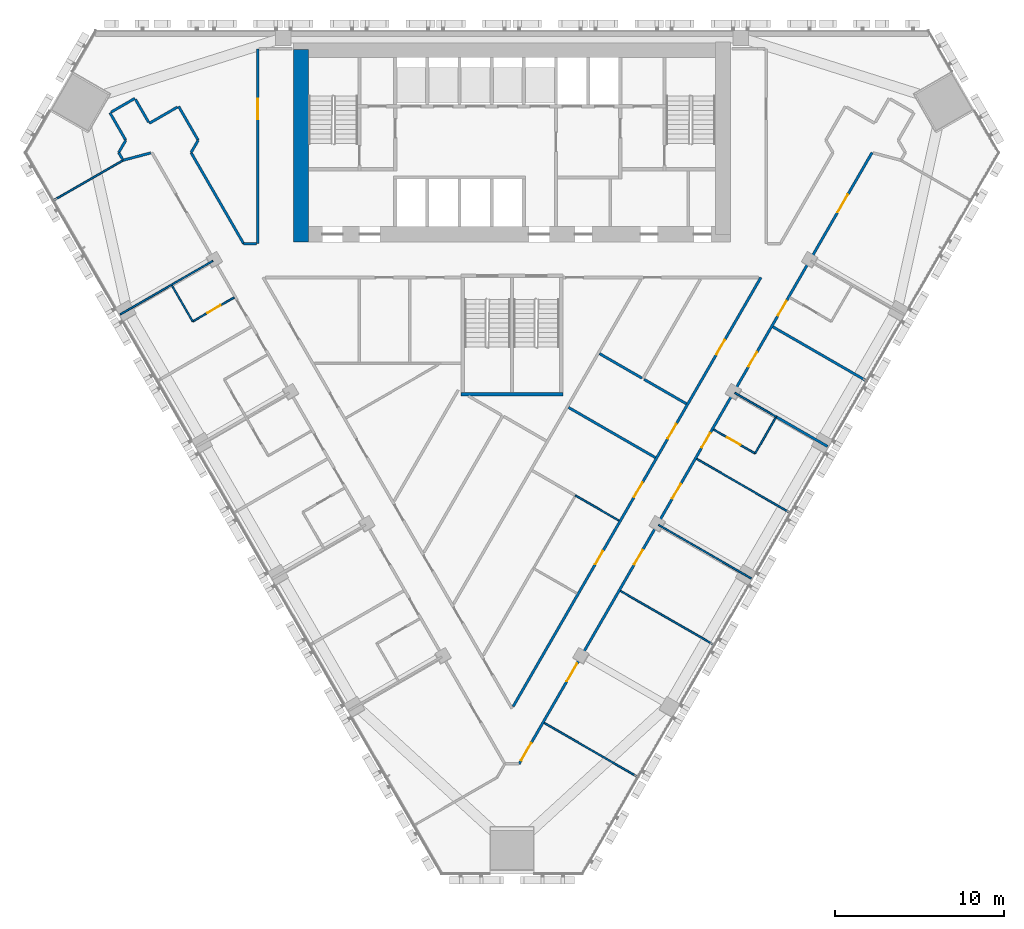
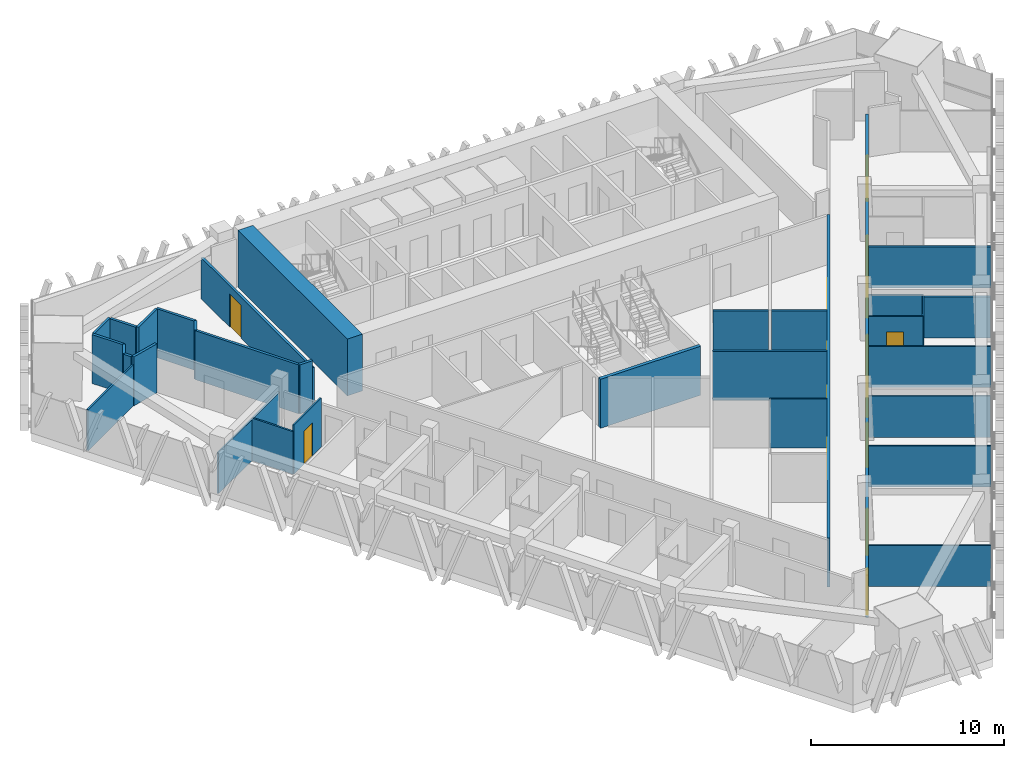
# One storey, part 10 of 16: 33 walls, 15 doors, 15 openings.
"""IFC4 building model written with IfcOpenShell, lengths in metres."""

from ifc_helpers import new_model, si_unit, direction, frame, frame_2d, origin, place, context, subcontext, project, spatial, rectangle, extrude, material, layer, layer_set, type_object, element, fill, save


model = new_model("IFC4")

# Units and contexts
model_context = context("Model", 3, precision=1e-05, world=origin(), true_north=direction((0.0, 1.0)))
body_context = subcontext(model_context, "Body", "Model", "MODEL_VIEW")
ifc_project = project(units=[si_unit("LENGTHUNIT", "METRE"), si_unit("AREAUNIT", "SQUARE_METRE"), si_unit("VOLUMEUNIT", "CUBIC_METRE"), si_unit("PLANEANGLEUNIT", "RADIAN"), si_unit("MASSUNIT", "GRAM", prefix="KILO")], contexts=[model_context])

# Site, building, storey
site_placement = place(None, origin())
site = spatial("IfcSite", under=ifc_project, at=site_placement, CompositionType="ELEMENT")
building_placement = place(site_placement, origin())
building = spatial("IfcBuilding", under=site, at=building_placement, Name="Altiplano Prism Tower", CompositionType="ELEMENT")
storey_placement = place(building_placement, frame((0.0, 0.0, 104.39990234375)))
storey = spatial("IfcBuildingStorey", under=building, at=storey_placement, Name="L26", CompositionType="ELEMENT", Elevation=104.39990234375)

# Wall
ifc_material_1 = material(Name="Concrete C70/85", Category="concrete")
ifc_layer_1 = layer(ifc_material_1, 0.89990234375)
ifc_layer_set_1 = layer_set([ifc_layer_1], Name="Concrete C70/85")
wall_type_1 = type_object("IfcWallType", Name="Core wall 900", PredefinedType="SHEAR", material=ifc_layer_set_1)
wall_1_placement = place(storey_placement, frame((72.550048828125, 103.85009765625, 0.0), z_axis=(0.0, 0.0, 1.0), x_axis=(0.0, -1.0, 0.0)))
element("IfcWall", 1, at=wall_1_placement, inside=storey, type_object=wall_type_1, Name="Core wall W L26", PredefinedType="SHEAR", context=body_context, shape_type="SweptSolid", body=[
    extrude(rectangle(XDim=11.35009765625, YDim=0.89990234375, at=frame_2d((5.675048828125, 0.0))), origin(), (0.0, 0.0, 1.0), 3.60009765625),
])

# Wall, opening, door
ifc_material_2 = material(Name="Plasterboard on steel stud", Category="steel")
ifc_layer_2 = layer(ifc_material_2, 0.10009765625)
ifc_layer_set_2 = layer_set([ifc_layer_2], Name="Plasterboard on steel stud")
wall_type_2 = type_object("IfcWallType", Name="Partition 100 unit", PredefinedType="PARTITIONING", material=ifc_layer_set_2)
wall_2_placement = place(storey_placement, frame((68.597412109375, 89.217529296875, 0.0), z_axis=(0.0, 0.0, 1.0), x_axis=(-0.866011447264, -0.500024172624, 0.0)))
wall_2 = element("IfcWall", 2, at=wall_2_placement, inside=storey, type_object=wall_type_2, Name="Partition P02 L26 046", PredefinedType="PARTITIONING", context=body_context, shape_type="SweptSolid", body=[
    extrude(rectangle(XDim=2.824951171875, YDim=0.10009765625, at=frame_2d((1.41259765625, 0.0))), origin(), (0.0, 0.0, 1.0), 3.10009765625),
])
opening_1_placement = place(wall_2_placement, frame((0.925048828125, 0.0, 0.0)))
opening_1 = element("IfcOpeningElement", 3, at=opening_1_placement, cuts=wall_2, Name="Opening D0957", PredefinedType="OPENING", context=body_context, shape_type="SweptSolid", body=[
    extrude(rectangle(XDim=0.89990234375, YDim=2.10009765625, at=frame_2d((0.449951171875, 1.050048828125))), frame((0.0, 0.060546875, 0.0), z_axis=(0.0, -1.0, 0.0), x_axis=(1.0, 0.0, 0.0)), (0.0, 0.0, 1.0), 0.12109375),
])
ifc_material_3 = material(Name="Timber", Category="wood")
door_type_1 = type_object("IfcDoorType", Name="Ensuite door 900 x 2100", OperationType="NOTDEFINED", PredefinedType="NOTDEFINED", material=ifc_material_3)
door_1_placement = place(opening_1_placement, origin())
door_1 = element("IfcDoor", 4, at=door_1_placement, inside=storey, type_object=door_type_1, Name="Door D0957", OperationType="SINGLE_SWING_RIGHT", OverallHeight=2.10009765625, OverallWidth=0.89990234375, PredefinedType="NOTDEFINED", context=body_context, shape_type="SweptSolid", body=[
    extrude(rectangle(XDim=0.89990234375, YDim=2.10009765625, at=frame_2d((0.449951171875, 1.050048828125))), frame((0.0, 0.02490234375, 0.0), z_axis=(0.0, -1.0, 0.0), x_axis=(1.0, 0.0, 0.0)), (0.0, 0.0, 1.0), 0.050048828125),
])
fill(opening_1, door_1)

# Walls
wall_3_placement = place(storey_placement, frame((66.15087890625, 87.804931640625, 0.0), z_axis=(0.0, 0.0, 1.0), x_axis=(-0.499943856944, 0.866057815567, 0.0)))
element("IfcWall", 5, at=wall_3_placement, inside=storey, type_object=wall_type_2, Name="Partition P02 L26 047", PredefinedType="PARTITIONING", context=body_context, shape_type="SweptSolid", body=[
    extrude(rectangle(XDim=2.449951171875, YDim=0.10009765625, at=frame_2d((1.22509765625, 0.0))), origin(), (0.0, 0.0, 1.0), 2.7001953125),
])
wall_4_placement = place(storey_placement, frame((100.5615234375, 82.11083984375, 0.0), z_axis=(0.0, 0.0, 1.0), x_axis=(-0.499972286653, -0.866041403502, 0.0)))
element("IfcWall", 6, at=wall_4_placement, inside=storey, type_object=wall_type_2, Name="Partition P02 L26 069", PredefinedType="PARTITIONING", context=body_context, shape_type="SweptSolid", body=[
    extrude(rectangle(XDim=2.425048828125, YDim=0.10009765625, at=frame_2d((1.21240234375, 0.0))), origin(), (0.0, 0.0, 1.0), 2.7001953125),
])

# Wall, opening, door
wall_5_placement = place(storey_placement, frame((99.34912109375, 80.0107421875, 0.0), z_axis=(0.0, 0.0, 1.0), x_axis=(-0.866011447264, 0.500024172624, 0.0)))
wall_5 = element("IfcWall", 7, at=wall_5_placement, inside=storey, type_object=wall_type_2, Name="Partition P02 L26 070", PredefinedType="PARTITIONING", context=body_context, shape_type="SweptSolid", body=[
    extrude(rectangle(XDim=2.824951171875, YDim=0.10009765625, at=frame_2d((1.41259765625, 0.0))), origin(), (0.0, 0.0, 1.0), 3.10009765625),
])
opening_2_placement = place(wall_5_placement, frame((1.0, 0.0, 0.0)))
opening_2 = element("IfcOpeningElement", 8, at=opening_2_placement, cuts=wall_5, Name="Opening D0973", PredefinedType="OPENING", context=body_context, shape_type="SweptSolid", body=[
    extrude(rectangle(XDim=0.89990234375, YDim=2.10009765625, at=frame_2d((0.449951171875, 1.050048828125))), frame((0.0, 0.060546875, 0.0), z_axis=(0.0, -1.0, 0.0), x_axis=(1.0, 0.0, 0.0)), (0.0, 0.0, 1.0), 0.12109375),
])
door_2_placement = place(opening_2_placement, origin())
door_2 = element("IfcDoor", 9, at=door_2_placement, inside=storey, type_object=door_type_1, Name="Door D0973", OperationType="SINGLE_SWING_LEFT", OverallHeight=2.10009765625, OverallWidth=0.89990234375, PredefinedType="NOTDEFINED", context=body_context, shape_type="SweptSolid", body=[
    extrude(rectangle(XDim=0.89990234375, YDim=2.10009765625, at=frame_2d((0.449951171875, 1.050048828125))), frame((0.0, 0.02490234375, 0.0), z_axis=(0.0, -1.0, 0.0), x_axis=(1.0, 0.0, 0.0)), (0.0, 0.0, 1.0), 0.050048828125),
])
fill(opening_2, door_2)

# Walls
ifc_layer_3 = layer(ifc_material_2, 0.10009765625)
ifc_layer_set_3 = layer_set([ifc_layer_3], Name="Plasterboard on steel stud")
wall_type_3 = type_object("IfcWallType", Name="Partition 100 wet", PredefinedType="PARTITIONING", material=ifc_layer_set_3)
wall_6_placement = place(storey_placement, frame((91.31494140625, 76.04541015625, 0.0), z_axis=(0.0, 0.0, 1.0), x_axis=(-0.866002926462, 0.500038929844, 0.0)))
element("IfcWall", 10, at=wall_6_placement, inside=storey, type_object=wall_type_3, Name="Partition P03 L26 039", PredefinedType="PARTITIONING", context=body_context, shape_type="SweptSolid", body=[
    extrude(rectangle(XDim=2.982666015625, YDim=0.10009765625, at=frame_2d((1.4912109375, 0.0))), origin(), (0.0, 0.0, 1.0), 3.10009765625),
])
wall_7_placement = place(storey_placement, frame((61.869873046875, 88.219970703125, 0.0), z_axis=(0.0, 0.0, 1.0), x_axis=(0.866015887322, 0.500016482634, 0.0)))
element("IfcWall", 11, at=wall_7_placement, inside=storey, type_object=wall_type_3, Name="Partition P03 L26 044", PredefinedType="PARTITIONING", context=body_context, shape_type="SweptSolid", body=[
    extrude(rectangle(XDim=6.324951171875, YDim=0.10009765625, at=frame_2d((3.16259765625, 0.0))), origin(), (0.0, 0.0, 1.0), 2.60009765625),
])
wall_8_placement = place(storey_placement, frame((62.04296875, 97.320068359375, 0.0), z_axis=(0.0, 0.0, 1.0), x_axis=(-0.866015897305, -0.500016465344, 0.0)))
element("IfcWall", 12, at=wall_8_placement, inside=storey, type_object=wall_type_3, Name="Partition P03 L26 045", PredefinedType="PARTITIONING", context=body_context, shape_type="SweptSolid", body=[
    extrude(rectangle(XDim=4.719970703125, YDim=0.10009765625, at=frame_2d((2.35986328125, 0.0))), origin(), (0.0, 0.0, 1.0), 2.60009765625),
])
for number, where, z_axis, x_axis, name in (
    (13, (92.397705078125, 60.93017578125, 0.0), (0.0, 0.0, 1.0), (-0.866025401434, 0.500000004071, 0.0), "Partition P03 L26 065"),
    (14, (96.897705078125, 68.724365234375, 0.0), (0.0, 0.0, 1.0), (-0.866025401434, 0.500000004071, 0.0), "Partition P03 L26 066"),
):
    element("IfcWall", number, at=place(storey_placement, frame(where, z_axis=z_axis, x_axis=x_axis)), inside=storey, type_object=wall_type_3, Name=name, PredefinedType="PARTITIONING", context=body_context, shape_type="SweptSolid", body=[
        extrude(rectangle(XDim=6.34521484375, YDim=0.10009765625, at=frame_2d((3.172607421875, 0.0))), origin(), (0.0, 0.0, 1.0), 2.60009765625),
    ])
wall_9_placement = place(storey_placement, frame((99.130126953125, 72.631591796875, 0.0), z_axis=(0.0, 0.0, 1.0), x_axis=(-0.866015887322, 0.500016482634, 0.0)))
element("IfcWall", 15, at=wall_9_placement, inside=storey, type_object=wall_type_3, Name="Partition P03 L26 067", PredefinedType="PARTITIONING", context=body_context, shape_type="SweptSolid", body=[
    extrude(rectangle(XDim=6.324951171875, YDim=0.10009765625, at=frame_2d((3.16259765625, 0.0))), origin(), (0.0, 0.0, 1.0), 2.60009765625),
])
wall_10_placement = place(storey_placement, frame((101.397705078125, 76.5185546875, 0.0), z_axis=(0.0, 0.0, 1.0), x_axis=(-0.866025401434, 0.500000004071, 0.0)))
element("IfcWall", 16, at=wall_10_placement, inside=storey, type_object=wall_type_3, Name="Partition P03 L26 068", PredefinedType="PARTITIONING", context=body_context, shape_type="SweptSolid", body=[
    extrude(rectangle(XDim=6.34521484375, YDim=0.10009765625, at=frame_2d((3.172607421875, 0.0))), origin(), (0.0, 0.0, 1.0), 2.60009765625),
])
wall_11_placement = place(storey_placement, frame((100.616455078125, 82.165771484375, 0.0), z_axis=(0.0, 0.0, 1.0), x_axis=(-0.866011243319, 0.500024525844, 0.0)))
element("IfcWall", 17, at=wall_11_placement, inside=storey, type_object=wall_type_3, Name="Partition P03 L26 072", PredefinedType="PARTITIONING", context=body_context, shape_type="SweptSolid", body=[
    extrude(rectangle(XDim=2.844970703125, YDim=0.10009765625, at=frame_2d((1.42236328125, 0.0))), origin(), (0.0, 0.0, 1.0), 2.7001953125),
])
ifc_layer_4 = layer(ifc_material_2, 0.14990234375)
ifc_layer_set_4 = layer_set([ifc_layer_4], Name="Plasterboard on steel stud")
wall_type_4 = type_object("IfcWallType", Name="Partition 150 corridor", PredefinedType="PARTITIONING", material=ifc_layer_set_4)
wall_12_placement = place(storey_placement, frame((62.04296875, 97.320068359375, 0.0), z_axis=(0.0, 0.0, 1.0), x_axis=(0.966383581826, 0.257104595015, 0.0)))
element("IfcWall", 18, at=wall_12_placement, inside=storey, type_object=wall_type_4, Name="Partition P06 L26 002", PredefinedType="PARTITIONING", context=body_context, shape_type="SweptSolid", body=[
    extrude(rectangle(XDim=1.688232421875, YDim=0.14990234375, at=frame_2d((0.84423828125, 0.0))), origin(), (0.0, 0.0, 1.0), 3.10009765625),
])

# Wall, openings, doors
wall_13_placement = place(storey_placement, frame((85.419677734375, 61.6845703125, 0.0), z_axis=(0.0, 0.0, 1.0), x_axis=(0.500001045382, 0.866024800232, 0.0)))
wall_13 = element("IfcWall", 19, at=wall_13_placement, inside=storey, type_object=wall_type_4, Name="Partition P06 L26 005", PredefinedType="PARTITIONING", context=body_context, shape_type="SweptSolid", body=[
    extrude(rectangle(XDim=41.67138671875, YDim=0.14990234375, at=frame_2d((20.835693359375, 0.0))), origin(), (0.0, 0.0, 1.0), 2.7001953125),
])
opening_3_placement = place(wall_13_placement, frame((0.239013671875, 0.0, 0.0)))
opening_3 = element("IfcOpeningElement", 20, at=opening_3_placement, cuts=wall_13, Name="Opening D0968", PredefinedType="OPENING", context=body_context, shape_type="SweptSolid", body=[
    extrude(rectangle(XDim=1.199951171875, YDim=2.10009765625, at=frame_2d((0.60009765625, 1.050048828125))), frame((0.0, 0.08544921875, 0.0), z_axis=(0.0, -1.0, 0.0), x_axis=(1.0, 0.0, 0.0)), (0.0, 0.0, 1.0), 0.1708984375),
])
opening_4_placement = place(wall_13_placement, frame((5.635986328125, 0.0, 0.0)))
opening_4 = element("IfcOpeningElement", 21, at=opening_4_placement, cuts=wall_13, Name="Opening D0969", PredefinedType="OPENING", context=body_context, shape_type="SweptSolid", body=[
    extrude(rectangle(XDim=1.199951171875, YDim=2.10009765625, at=frame_2d((0.60009765625, 1.050048828125))), frame((0.0, 0.08544921875, 0.0), z_axis=(0.0, -1.0, 0.0), x_axis=(1.0, 0.0, 0.0)), (0.0, 0.0, 1.0), 0.1708984375),
])
opening_5_placement = place(wall_13_placement, frame((13.5859375, 0.0, 0.0)))
opening_5 = element("IfcOpeningElement", 22, at=opening_5_placement, cuts=wall_13, Name="Opening D0970", PredefinedType="OPENING", context=body_context, shape_type="SweptSolid", body=[
    extrude(rectangle(XDim=1.0, YDim=2.10009765625, at=frame_2d((0.5, 1.050048828125))), frame((0.0, 0.08544921875, 0.0), z_axis=(0.0, -1.0, 0.0), x_axis=(1.0, 0.0, 0.0)), (0.0, 0.0, 1.0), 0.1708984375),
])
opening_6_placement = place(wall_13_placement, frame((18.0859375, 0.0, 0.0)))
opening_6 = element("IfcOpeningElement", 23, at=opening_6_placement, cuts=wall_13, Name="Opening D0971", PredefinedType="OPENING", context=body_context, shape_type="SweptSolid", body=[
    extrude(rectangle(XDim=1.0, YDim=2.10009765625, at=frame_2d((0.5, 1.050048828125))), frame((0.0, 0.08544921875, 0.0), z_axis=(0.0, -1.0, 0.0), x_axis=(1.0, 0.0, 0.0)), (0.0, 0.0, 1.0), 0.1708984375),
])
opening_7_placement = place(wall_13_placement, frame((21.555908203125, 0.0, 0.0)))
opening_7 = element("IfcOpeningElement", 24, at=opening_7_placement, cuts=wall_13, Name="Opening D0972", PredefinedType="OPENING", context=body_context, shape_type="SweptSolid", body=[
    extrude(rectangle(XDim=1.0, YDim=2.10009765625, at=frame_2d((0.5, 1.050048828125))), frame((0.0, 0.08544921875, 0.0), z_axis=(0.0, -1.0, 0.0), x_axis=(1.0, 0.0, 0.0)), (0.0, 0.0, 1.0), 0.1708984375),
])
opening_8_placement = place(wall_13_placement, frame((27.0859375, 0.0, 0.0)))
opening_8 = element("IfcOpeningElement", 25, at=opening_8_placement, cuts=wall_13, Name="Opening D0974", PredefinedType="OPENING", context=body_context, shape_type="SweptSolid", body=[
    extrude(rectangle(XDim=1.0, YDim=2.10009765625, at=frame_2d((0.5, 1.050048828125))), frame((0.0, 0.08544921875, 0.0), z_axis=(0.0, -1.0, 0.0), x_axis=(1.0, 0.0, 0.0)), (0.0, 0.0, 1.0), 0.1708984375),
])
opening_9_placement = place(wall_13_placement, frame((30.555908203125, 0.0, 0.0)))
opening_9 = element("IfcOpeningElement", 26, at=opening_9_placement, cuts=wall_13, Name="Opening D0975", PredefinedType="OPENING", context=body_context, shape_type="SweptSolid", body=[
    extrude(rectangle(XDim=1.0, YDim=2.10009765625, at=frame_2d((0.5, 1.050048828125))), frame((0.0, 0.08544921875, 0.0), z_axis=(0.0, -1.0, 0.0), x_axis=(1.0, 0.0, 0.0)), (0.0, 0.0, 1.0), 0.1708984375),
])
opening_10_placement = place(wall_13_placement, frame((37.60400390625, 0.0, 0.0)))
opening_10 = element("IfcOpeningElement", 27, at=opening_10_placement, cuts=wall_13, Name="Opening D0977", PredefinedType="OPENING", context=body_context, shape_type="SweptSolid", body=[
    extrude(rectangle(XDim=1.199951171875, YDim=2.10009765625, at=frame_2d((0.60009765625, 1.050048828125))), frame((0.0, 0.08544921875, 0.0), z_axis=(0.0, -1.0, 0.0), x_axis=(1.0, 0.0, 0.0)), (0.0, 0.0, 1.0), 0.1708984375),
])
door_type_2 = type_object("IfcDoorType", Name="Bedroom entrance door 1000 x 2100", OperationType="NOTDEFINED", PredefinedType="NOTDEFINED", material=ifc_material_3)
door_3_placement = place(opening_7_placement, origin())
door_3 = element("IfcDoor", 28, at=door_3_placement, inside=storey, type_object=door_type_2, Name="Door D0972", OperationType="SINGLE_SWING_LEFT", OverallHeight=2.10009765625, OverallWidth=1.0, PredefinedType="NOTDEFINED", context=body_context, shape_type="SweptSolid", body=[
    extrude(rectangle(XDim=1.0, YDim=2.10009765625, at=frame_2d((0.5, 1.050048828125))), frame((0.0, 0.02490234375, 0.0), z_axis=(0.0, -1.0, 0.0), x_axis=(1.0, 0.0, 0.0)), (0.0, 0.0, 1.0), 0.050048828125),
])
fill(opening_7, door_3)
door_4_placement = place(opening_9_placement, origin())
door_4 = element("IfcDoor", 29, at=door_4_placement, inside=storey, type_object=door_type_2, Name="Door D0975", OperationType="SINGLE_SWING_LEFT", OverallHeight=2.10009765625, OverallWidth=1.0, PredefinedType="NOTDEFINED", context=body_context, shape_type="SweptSolid", body=[
    extrude(rectangle(XDim=1.0, YDim=2.10009765625, at=frame_2d((0.5, 1.050048828125))), frame((0.0, 0.02490234375, 0.0), z_axis=(0.0, -1.0, 0.0), x_axis=(1.0, 0.0, 0.0)), (0.0, 0.0, 1.0), 0.050048828125),
])
fill(opening_9, door_4)
door_type_3 = type_object("IfcDoorType", Name="Room door 1000 x 2100", OperationType="NOTDEFINED", PredefinedType="NOTDEFINED", material=ifc_material_3)
door_5_placement = place(opening_5_placement, origin())
door_5 = element("IfcDoor", 30, at=door_5_placement, inside=storey, type_object=door_type_3, Name="Door D0970", OperationType="SINGLE_SWING_LEFT", OverallHeight=2.10009765625, OverallWidth=1.0, PredefinedType="NOTDEFINED", context=body_context, shape_type="SweptSolid", body=[
    extrude(rectangle(XDim=1.0, YDim=2.10009765625, at=frame_2d((0.5, 1.050048828125))), frame((0.0, 0.02490234375, 0.0), z_axis=(0.0, -1.0, 0.0), x_axis=(1.0, 0.0, 0.0)), (0.0, 0.0, 1.0), 0.050048828125),
])
fill(opening_5, door_5)
door_6_placement = place(opening_6_placement, origin())
door_6 = element("IfcDoor", 31, at=door_6_placement, inside=storey, type_object=door_type_3, Name="Door D0971", OperationType="SINGLE_SWING_RIGHT", OverallHeight=2.10009765625, OverallWidth=1.0, PredefinedType="NOTDEFINED", context=body_context, shape_type="SweptSolid", body=[
    extrude(rectangle(XDim=1.0, YDim=2.10009765625, at=frame_2d((0.5, 1.050048828125))), frame((0.0, 0.02490234375, 0.0), z_axis=(0.0, -1.0, 0.0), x_axis=(1.0, 0.0, 0.0)), (0.0, 0.0, 1.0), 0.050048828125),
])
fill(opening_6, door_6)
door_7_placement = place(opening_8_placement, origin())
door_7 = element("IfcDoor", 32, at=door_7_placement, inside=storey, type_object=door_type_3, Name="Door D0974", OperationType="SINGLE_SWING_RIGHT", OverallHeight=2.10009765625, OverallWidth=1.0, PredefinedType="NOTDEFINED", context=body_context, shape_type="SweptSolid", body=[
    extrude(rectangle(XDim=1.0, YDim=2.10009765625, at=frame_2d((0.5, 1.050048828125))), frame((0.0, 0.02490234375, 0.0), z_axis=(0.0, -1.0, 0.0), x_axis=(1.0, 0.0, 0.0)), (0.0, 0.0, 1.0), 0.050048828125),
])
fill(opening_8, door_7)
door_type_4 = type_object("IfcDoorType", Name="Shared room door 1200 x 2100", OperationType="NOTDEFINED", PredefinedType="NOTDEFINED", material=ifc_material_3)
door_8_placement = place(opening_3_placement, origin())
door_8 = element("IfcDoor", 33, at=door_8_placement, inside=storey, type_object=door_type_4, Name="Door D0968", OperationType="SINGLE_SWING_RIGHT", OverallHeight=2.10009765625, OverallWidth=1.199951171875, PredefinedType="NOTDEFINED", context=body_context, shape_type="SweptSolid", body=[
    extrude(rectangle(XDim=1.199951171875, YDim=2.10009765625, at=frame_2d((0.60009765625, 1.050048828125))), frame((0.0, 0.02490234375, 0.0), z_axis=(0.0, -1.0, 0.0), x_axis=(1.0, 0.0, 0.0)), (0.0, 0.0, 1.0), 0.050048828125),
])
fill(opening_3, door_8)
door_9_placement = place(opening_4_placement, origin())
door_9 = element("IfcDoor", 34, at=door_9_placement, inside=storey, type_object=door_type_4, Name="Door D0969", OperationType="SINGLE_SWING_LEFT", OverallHeight=2.10009765625, OverallWidth=1.199951171875, PredefinedType="NOTDEFINED", context=body_context, shape_type="SweptSolid", body=[
    extrude(rectangle(XDim=1.199951171875, YDim=2.10009765625, at=frame_2d((0.60009765625, 1.050048828125))), frame((0.0, 0.02490234375, 0.0), z_axis=(0.0, -1.0, 0.0), x_axis=(1.0, 0.0, 0.0)), (0.0, 0.0, 1.0), 0.050048828125),
])
fill(opening_4, door_9)
door_10_placement = place(opening_10_placement, origin())
door_10 = element("IfcDoor", 35, at=door_10_placement, inside=storey, type_object=door_type_4, Name="Door D0977", OperationType="SINGLE_SWING_LEFT", OverallHeight=2.10009765625, OverallWidth=1.199951171875, PredefinedType="NOTDEFINED", context=body_context, shape_type="SweptSolid", body=[
    extrude(rectangle(XDim=1.199951171875, YDim=2.10009765625, at=frame_2d((0.60009765625, 1.050048828125))), frame((0.0, 0.02490234375, 0.0), z_axis=(0.0, -1.0, 0.0), x_axis=(1.0, 0.0, 0.0)), (0.0, 0.0, 1.0), 0.050048828125),
])
fill(opening_10, door_10)

# Wall, opening, door
wall_14_placement = place(storey_placement, frame((70.0, 103.89990234375, 0.0), z_axis=(0.0, 0.0, 1.0), x_axis=(0.0, -1.0, 0.0)))
wall_14 = element("IfcWall", 36, at=wall_14_placement, inside=storey, type_object=wall_type_4, Name="Partition P06 L26 022", PredefinedType="PARTITIONING", context=body_context, shape_type="SweptSolid", body=[
    extrude(rectangle(XDim=11.5, YDim=0.14990234375, at=frame_2d((5.75, 0.0))), origin(), (0.0, 0.0, 1.0), 2.60009765625),
])
opening_11_placement = place(wall_14_placement, frame((2.9560546875, 0.0, 0.0)))
opening_11 = element("IfcOpeningElement", 37, at=opening_11_placement, cuts=wall_14, Name="Opening D0979", PredefinedType="OPENING", context=body_context, shape_type="SweptSolid", body=[
    extrude(rectangle(XDim=1.199951171875, YDim=2.10009765625, at=frame_2d((0.60009765625, 1.050048828125))), frame((0.0, 0.08544921875, 0.0), z_axis=(0.0, -1.0, 0.0), x_axis=(1.0, 0.0, 0.0)), (0.0, 0.0, 1.0), 0.1708984375),
])
door_11_placement = place(opening_11_placement, origin())
door_11 = element("IfcDoor", 38, at=door_11_placement, inside=storey, type_object=door_type_4, Name="Door D0979", OperationType="SINGLE_SWING_LEFT", OverallHeight=2.10009765625, OverallWidth=1.199951171875, PredefinedType="NOTDEFINED", context=body_context, shape_type="SweptSolid", body=[
    extrude(rectangle(XDim=1.199951171875, YDim=2.10009765625, at=frame_2d((0.60009765625, 1.050048828125))), frame((0.0, 0.02490234375, 0.0), z_axis=(0.0, -1.0, 0.0), x_axis=(1.0, 0.0, 0.0)), (0.0, 0.0, 1.0), 0.050048828125),
])
fill(opening_11, door_11)

# Walls
wall_15_placement = place(storey_placement, frame((69.925048828125, 92.39990234375, 0.0), z_axis=(0.0, 0.0, 1.0), x_axis=(-1.0, 0.0, 0.0)))
element("IfcWall", 39, at=wall_15_placement, inside=storey, type_object=wall_type_4, Name="Partition P06 L26 023", PredefinedType="PARTITIONING", context=body_context, shape_type="SweptSolid", body=[
    extrude(rectangle(XDim=0.76904296875, YDim=0.14990234375, at=frame_2d((0.384521484375, 0.0))), origin(), (0.0, 0.0, 1.0), 3.10009765625),
])
wall_16_placement = place(storey_placement, frame((69.156005859375, 92.39990234375, 0.0), z_axis=(0.0, 0.0, 1.0), x_axis=(-0.499990416364, 0.866030936828, 0.0)))
element("IfcWall", 40, at=wall_16_placement, inside=storey, type_object=wall_type_4, Name="Partition P06 L26 024", PredefinedType="PARTITIONING", context=body_context, shape_type="SweptSolid", body=[
    extrude(rectangle(XDim=6.2041015625, YDim=0.14990234375, at=frame_2d((3.10205078125, 0.0))), origin(), (0.0, 0.0, 1.0), 3.10009765625),
])
wall_17_placement = place(storey_placement, frame((66.053955078125, 97.77294921875, 0.0), z_axis=(0.0, 0.0, 1.0), x_axis=(0.500141944548, 0.86594343655, 0.0)))
element("IfcWall", 41, at=wall_17_placement, inside=storey, type_object=wall_type_4, Name="Partition P06 L26 025", PredefinedType="PARTITIONING", context=body_context, shape_type="SweptSolid", body=[
    extrude(rectangle(XDim=0.839599609375, YDim=0.14990234375, at=frame_2d((0.419921875, 0.0))), origin(), (0.0, 0.0, 1.0), 3.10009765625),
])
wall_18_placement = place(storey_placement, frame((66.473876953125, 98.5, 0.0), z_axis=(0.0, 0.0, 1.0), x_axis=(-0.500027479704, 0.866009537788, 0.0)))
element("IfcWall", 42, at=wall_18_placement, inside=storey, type_object=wall_type_4, Name="Partition P06 L26 026", PredefinedType="PARTITIONING", context=body_context, shape_type="SweptSolid", body=[
    extrude(rectangle(XDim=2.309326171875, YDim=0.14990234375, at=frame_2d((1.15478515625, 0.0))), origin(), (0.0, 0.0, 1.0), 3.10009765625),
])
wall_19_placement = place(storey_placement, frame((65.254150390625, 100.46240234375, 0.0), z_axis=(0.0, 0.0, 1.0), x_axis=(-0.866033512162, -0.499985955615, 0.0)))
element("IfcWall", 43, at=wall_19_placement, inside=storey, type_object=wall_type_4, Name="Partition P06 L26 027", PredefinedType="PARTITIONING", context=body_context, shape_type="SweptSolid", body=[
    extrude(rectangle(XDim=1.9248046875, YDim=0.14990234375, at=frame_2d((0.96240234375, 0.0))), origin(), (0.0, 0.0, 1.0), 3.10009765625),
])
wall_20_placement = place(storey_placement, frame((63.549560546875, 99.56494140625, 0.0), z_axis=(0.0, 0.0, 1.0), x_axis=(-0.499967891604, 0.866043940782, 0.0)))
element("IfcWall", 44, at=wall_20_placement, inside=storey, type_object=wall_type_4, Name="Partition P06 L26 028", PredefinedType="PARTITIONING", context=body_context, shape_type="SweptSolid", body=[
    extrude(rectangle(XDim=1.5498046875, YDim=0.14990234375, at=frame_2d((0.77490234375, 0.0))), origin(), (0.0, 0.0, 1.0), 3.10009765625),
])
wall_21_placement = place(storey_placement, frame((62.737060546875, 100.97216796875, 0.0), z_axis=(0.0, 0.0, 1.0), x_axis=(-0.866015446554, -0.500017246033, 0.0)))
element("IfcWall", 45, at=wall_21_placement, inside=storey, type_object=wall_type_4, Name="Partition P06 L26 029", PredefinedType="PARTITIONING", context=body_context, shape_type="SweptSolid", body=[
    extrude(rectangle(XDim=1.625, YDim=0.14990234375, at=frame_2d((0.8125, 0.0))), origin(), (0.0, 0.0, 1.0), 3.10009765625),
])
wall_22_placement = place(storey_placement, frame((61.264892578125, 100.122314453125, 0.0), z_axis=(0.0, 0.0, 1.0), x_axis=(0.499951854219, -0.86605319898, 0.0)))
element("IfcWall", 46, at=wall_22_placement, inside=storey, type_object=wall_type_4, Name="Partition P06 L26 030", PredefinedType="PARTITIONING", context=body_context, shape_type="SweptSolid", body=[
    extrude(rectangle(XDim=1.873291015625, YDim=0.14990234375, at=frame_2d((0.9365234375, 0.0))), origin(), (0.0, 0.0, 1.0), 3.10009765625),
])
wall_23_placement = place(storey_placement, frame((62.201416015625, 98.5, 0.0), z_axis=(0.0, 0.0, 1.0), x_axis=(-0.499923853111, -0.866069362748, 0.0)))
element("IfcWall", 47, at=wall_23_placement, inside=storey, type_object=wall_type_4, Name="Partition P06 L26 031", PredefinedType="PARTITIONING", context=body_context, shape_type="SweptSolid", body=[
    extrude(rectangle(XDim=0.839599609375, YDim=0.14990234375, at=frame_2d((0.419921875, 0.0))), origin(), (0.0, 0.0, 1.0), 3.10009765625),
])
wall_24_placement = place(storey_placement, frame((61.78173828125, 97.77294921875, 0.0), z_axis=(0.0, 0.0, 1.0), x_axis=(0.499753735824, -0.866167537795, 0.0)))
element("IfcWall", 48, at=wall_24_placement, inside=storey, type_object=wall_type_4, Name="Partition P06 L26 032", PredefinedType="PARTITIONING", context=body_context, shape_type="SweptSolid", body=[
    extrude(rectangle(XDim=0.450439453125, YDim=0.14990234375, at=frame_2d((0.22509765625, 0.0))), origin(), (0.0, 0.0, 1.0), 3.10009765625),
])

# Wall, openings, doors
wall_25_placement = place(storey_placement, frame((99.689208984375, 90.39990234375, 0.0), z_axis=(0.0, 0.0, 1.0), x_axis=(-0.500002079822, -0.866024202995, 0.0)))
wall_25 = element("IfcWall", 49, at=wall_25_placement, inside=storey, type_object=wall_type_4, Name="Partition P06 L26 034", PredefinedType="PARTITIONING", context=body_context, shape_type="SweptSolid", body=[
    extrude(rectangle(XDim=29.24853515625, YDim=0.14990234375, at=frame_2d((14.624267578125, 0.0))), origin(), (0.0, 0.0, 1.0), 3.10009765625),
])
opening_12_placement = place(wall_25_placement, frame((18.64990234375, 0.0, 0.0)))
opening_12 = element("IfcOpeningElement", 50, at=opening_12_placement, cuts=wall_25, Name="Opening D0952", PredefinedType="OPENING", context=body_context, shape_type="SweptSolid", body=[
    extrude(rectangle(XDim=0.89990234375, YDim=2.10009765625, at=frame_2d((0.449951171875, 1.050048828125))), frame((0.0, 0.08544921875, 0.0), z_axis=(0.0, -1.0, 0.0), x_axis=(1.0, 0.0, 0.0)), (0.0, 0.0, 1.0), 0.1708984375),
])
opening_13_placement = place(wall_25_placement, frame((13.968994140625, 0.0, 0.0)))
opening_13 = element("IfcOpeningElement", 51, at=opening_13_placement, cuts=wall_25, Name="Opening D0984", PredefinedType="OPENING", context=body_context, shape_type="SweptSolid", body=[
    extrude(rectangle(XDim=1.0, YDim=2.10009765625, at=frame_2d((0.5, 1.050048828125))), frame((0.0, 0.08544921875, 0.0), z_axis=(0.0, -1.0, 0.0), x_axis=(1.0, 0.0, 0.0)), (0.0, 0.0, 1.0), 0.1708984375),
])
opening_14_placement = place(wall_25_placement, frame((4.2490234375, 0.0, 0.0)))
opening_14 = element("IfcOpeningElement", 52, at=opening_14_placement, cuts=wall_25, Name="Opening D0986", PredefinedType="OPENING", context=body_context, shape_type="SweptSolid", body=[
    extrude(rectangle(XDim=1.0, YDim=2.10009765625, at=frame_2d((0.5, 1.050048828125))), frame((0.0, 0.08544921875, 0.0), z_axis=(0.0, -1.0, 0.0), x_axis=(1.0, 0.0, 0.0)), (0.0, 0.0, 1.0), 0.1708984375),
])
opening_15_placement = place(wall_25_placement, frame((9.987060546875, 0.0, 0.0)))
opening_15 = element("IfcOpeningElement", 53, at=opening_15_placement, cuts=wall_25, Name="Opening D0987", PredefinedType="OPENING", context=body_context, shape_type="SweptSolid", body=[
    extrude(rectangle(XDim=1.0, YDim=2.10009765625, at=frame_2d((0.5, 1.050048828125))), frame((0.0, 0.08544921875, 0.0), z_axis=(0.0, -1.0, 0.0), x_axis=(1.0, 0.0, 0.0)), (0.0, 0.0, 1.0), 0.1708984375),
])
door_12_placement = place(opening_15_placement, origin())
door_12 = element("IfcDoor", 54, at=door_12_placement, inside=storey, type_object=door_type_3, Name="Door D0987", OperationType="SINGLE_SWING_RIGHT", OverallHeight=2.10009765625, OverallWidth=1.0, PredefinedType="NOTDEFINED", context=body_context, shape_type="SweptSolid", body=[
    extrude(rectangle(XDim=1.0, YDim=2.10009765625, at=frame_2d((0.5, 1.050048828125))), frame((0.0, 0.02490234375, 0.0), z_axis=(0.0, -1.0, 0.0), x_axis=(1.0, 0.0, 0.0)), (0.0, 0.0, 1.0), 0.050048828125),
])
fill(opening_15, door_12)
door_type_5 = type_object("IfcDoorType", Name="Store door 1000 x 2100", OperationType="NOTDEFINED", PredefinedType="NOTDEFINED", material=ifc_material_3)
door_13_placement = place(opening_13_placement, origin())
door_13 = element("IfcDoor", 55, at=door_13_placement, inside=storey, type_object=door_type_5, Name="Door D0984", OperationType="SINGLE_SWING_RIGHT", OverallHeight=2.10009765625, OverallWidth=1.0, PredefinedType="NOTDEFINED", context=body_context, shape_type="SweptSolid", body=[
    extrude(rectangle(XDim=1.0, YDim=2.10009765625, at=frame_2d((0.5, 1.050048828125))), frame((0.0, 0.02490234375, 0.0), z_axis=(0.0, -1.0, 0.0), x_axis=(1.0, 0.0, 0.0)), (0.0, 0.0, 1.0), 0.050048828125),
])
fill(opening_13, door_13)
door_14_placement = place(opening_14_placement, origin())
door_14 = element("IfcDoor", 56, at=door_14_placement, inside=storey, type_object=door_type_5, Name="Door D0986", OperationType="SINGLE_SWING_LEFT", OverallHeight=2.10009765625, OverallWidth=1.0, PredefinedType="NOTDEFINED", context=body_context, shape_type="SweptSolid", body=[
    extrude(rectangle(XDim=1.0, YDim=2.10009765625, at=frame_2d((0.5, 1.050048828125))), frame((0.0, 0.02490234375, 0.0), z_axis=(0.0, -1.0, 0.0), x_axis=(1.0, 0.0, 0.0)), (0.0, 0.0, 1.0), 0.050048828125),
])
fill(opening_14, door_14)
door_type_6 = type_object("IfcDoorType", Name="Toilet door 900 x 2100", OperationType="NOTDEFINED", PredefinedType="NOTDEFINED", material=ifc_material_3)
door_15_placement = place(opening_12_placement, origin())
door_15 = element("IfcDoor", 57, at=door_15_placement, inside=storey, type_object=door_type_6, Name="Door D0952", OperationType="SINGLE_SWING_LEFT", OverallHeight=2.10009765625, OverallWidth=0.89990234375, PredefinedType="NOTDEFINED", context=body_context, shape_type="SweptSolid", body=[
    extrude(rectangle(XDim=0.89990234375, YDim=2.10009765625, at=frame_2d((0.449951171875, 1.050048828125))), frame((0.0, 0.02490234375, 0.0), z_axis=(0.0, -1.0, 0.0), x_axis=(1.0, 0.0, 0.0)), (0.0, 0.0, 1.0), 0.050048828125),
])
fill(opening_12, door_15)

# Walls
ifc_layer_5 = layer(ifc_material_2, 0.14990234375)
ifc_layer_set_5 = layer_set([ifc_layer_5], Name="Plasterboard on steel stud")
wall_type_5 = type_object("IfcWallType", Name="Partition 150 party", PredefinedType="PARTITIONING", material=ifc_layer_set_5)
wall_26_placement = place(storey_placement, frame((103.630126953125, 80.42578125, 0.0), z_axis=(0.0, 0.0, 1.0), x_axis=(-0.866019260715, 0.500010639957, 0.0)))
element("IfcWall", 58, at=wall_26_placement, inside=storey, type_object=wall_type_5, Name="Partition P01 L26 071", PredefinedType="PARTITIONING", context=body_context, shape_type="SweptSolid", body=[
    extrude(rectangle(XDim=3.52001953125, YDim=0.14990234375, at=frame_2d((1.760009765625, 0.0))), origin(), (0.0, 0.0, 1.0), 2.60009765625),
])
wall_27_placement = place(storey_placement, frame((105.897705078125, 84.31298828125, 0.0), z_axis=(0.0, 0.0, 1.0), x_axis=(-0.866042062017, 0.499971145986, 0.0)))
element("IfcWall", 59, at=wall_27_placement, inside=storey, type_object=wall_type_5, Name="Partition P01 L26 073", PredefinedType="PARTITIONING", context=body_context, shape_type="SweptSolid", body=[
    extrude(rectangle(XDim=6.344970703125, YDim=0.14990234375, at=frame_2d((3.17236328125, 0.0))), origin(), (0.0, 0.0, 1.0), 2.60009765625),
])
wall_28_placement = place(storey_placement, frame((93.46435546875, 79.768310546875, 0.0), z_axis=(0.0, 0.0, 1.0), x_axis=(-0.866035989535, 0.499981664495, 0.0)))
element("IfcWall", 60, at=wall_28_placement, inside=storey, type_object=wall_type_5, Name="Partition P01 L26 085", PredefinedType="PARTITIONING", context=body_context, shape_type="SweptSolid", body=[
    extrude(rectangle(XDim=5.924560546875, YDim=0.14990234375, at=frame_2d((2.96240234375, 0.0))), origin(), (0.0, 0.0, 1.0), 3.10009765625),
])
wall_29_placement = place(storey_placement, frame((92.79638671875, 84.38671875, 0.0), z_axis=(0.0, 0.0, 1.0), x_axis=(0.865981426562, -0.500076163049, 0.0)))
element("IfcWall", 61, at=wall_29_placement, inside=storey, type_object=wall_type_5, Name="Partition P01 L26 086", PredefinedType="PARTITIONING", context=body_context, shape_type="SweptSolid", body=[
    extrude(rectangle(XDim=2.8876953125, YDim=0.14990234375, at=frame_2d((1.44384765625, 0.0))), origin(), (0.0, 0.0, 1.0), 3.10009765625),
])
wall_30_placement = place(storey_placement, frame((92.666259765625, 84.461669921875, 0.0), z_axis=(0.0, 0.0, 1.0), x_axis=(-0.866027848477, 0.499995765644, 0.0)))
element("IfcWall", 62, at=wall_30_placement, inside=storey, type_object=wall_type_5, Name="Partition P01 L26 088", PredefinedType="PARTITIONING", context=body_context, shape_type="SweptSolid", body=[
    extrude(rectangle(XDim=2.88671875, YDim=0.14990234375, at=frame_2d((1.443359375, 0.0))), origin(), (0.0, 0.0, 1.0), 3.10009765625),
])
ifc_material_4 = material(Name="Concrete C60/75", Category="concrete")
ifc_layer_6 = layer(ifc_material_4, 0.199951171875)
ifc_layer_set_6 = layer_set([ifc_layer_6], Name="Concrete C60/75")
wall_type_6 = type_object("IfcWallType", Name="Stair wall 200", PredefinedType="SOLIDWALL", material=ifc_layer_set_6)
wall_31_placement = place(storey_placement, frame((82.0, 83.5, 0.0), z_axis=(0.0, 0.0, 1.0), x_axis=(1.0, 0.0, 0.0)))
element("IfcWall", 63, at=wall_31_placement, inside=storey, type_object=wall_type_6, Name="Stair 3 wall south L26", PredefinedType="SOLIDWALL", context=body_context, shape_type="SweptSolid", body=[
    extrude(rectangle(XDim=6.0, YDim=0.199951171875, at=frame_2d((3.0, 0.0))), origin(), (0.0, 0.0, 1.0), 3.10009765625),
])

save(model, "model.ifc")
